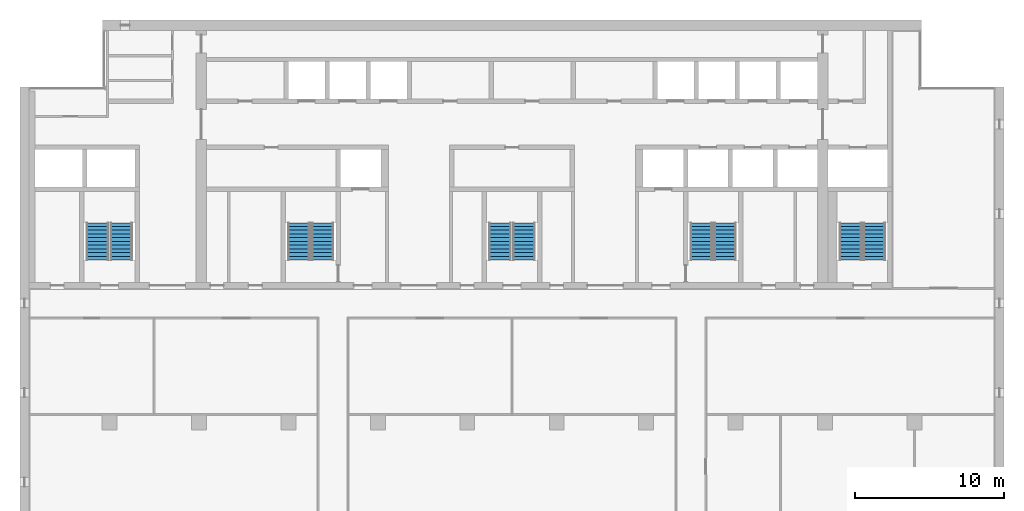
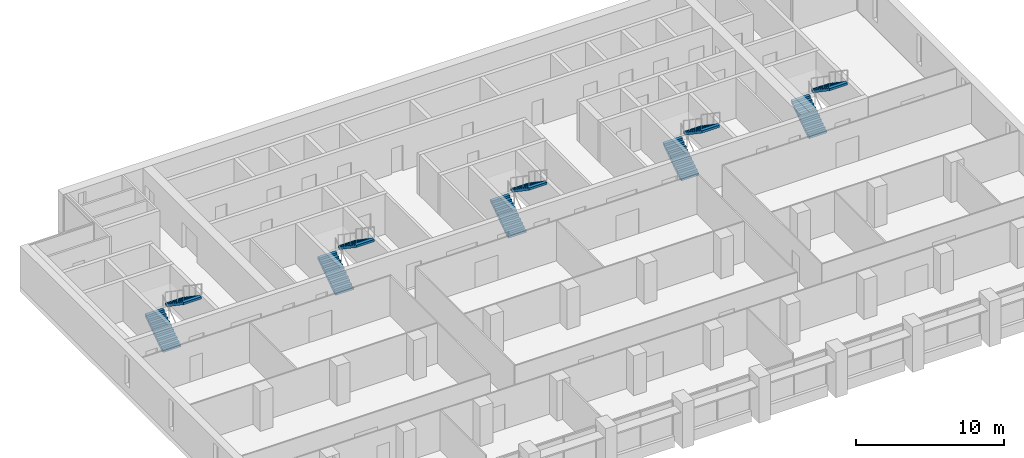
# One storey, part 13 of 17: 10 stair flights, 5 elements without a shape of their own.
"""IFC4 building model written with IfcOpenShell, lengths in metres."""

import ifcopenshell
import ifcopenshell.guid

model = None  # the IFC model being written
_history = None  # IfcOwnerHistory: only IFC2X3 demands one
_inside = {}  # id of a spatial element -> (the spatial element, [elements in it])
_under = {}  # id of a project, library or spatial element -> (it, [spatial elements below it])
_declared = {}  # id of a project -> (the project, [libraries it declares])
_typed = {}  # id of a type object -> (the type object, [elements of that type])
_made_of = {}  # id of a material, layer set ... -> (it, [elements and type objects made of it])


def new_model(schema):
    """Start an empty IFC model of exactly this schema.

    Asked for "IFC4X3", IfcOpenShell would pick the latest addendum, in which some entities
    have other attributes; the version numbers below select the first issue.
    IFC2X3 requires an IfcOwnerHistory on every rooted entity: one is made here for all.
    """
    global model, _history
    if schema == "IFC4X3":
        model = ifcopenshell.file(schema_version=(4, 3, 0, 0))
    else:
        model = ifcopenshell.file(schema=schema)
    _inside.clear()
    _under.clear()
    _declared.clear()
    _typed.clear()
    _made_of.clear()
    _history = None
    if model.schema == "IFC2X3":
        org = make("IfcOrganization", Name="unknown")
        user = make(
            "IfcPersonAndOrganization",
            ThePerson=make("IfcPerson", FamilyName="unknown"),
            TheOrganization=org,
        )
        app = make(
            "IfcApplication",
            ApplicationDeveloper=org,
            Version="unknown",
            ApplicationFullName="unknown",
            ApplicationIdentifier="unknown",
        )
        _history = make(
            "IfcOwnerHistory",
            OwningUser=user,
            OwningApplication=app,
            ChangeAction="ADDED",
            CreationDate=0,
        )
    return model


def make(cls, **values):
    """One entity of the class cls with the attributes given. An attribute that is None is left unset."""
    return model.create_entity(
        cls, **{name: value for name, value in values.items() if value is not None}
    )


def rooted(cls, **values):
    """An entity with a GlobalId (a new one), such as an element, a storey or a relation."""
    return make(cls, GlobalId=ifcopenshell.guid.new(), OwnerHistory=_history, **values)


def si_unit(unit_type, name, prefix=None):
    """IfcSIUnit, for example si_unit("LENGTHUNIT", "METRE", prefix="MILLI")."""
    return make("IfcSIUnit", UnitType=unit_type, Prefix=prefix, Name=name)


def assignment(units):
    """IfcUnitAssignment: the units of a project."""
    return None if units is None else make("IfcUnitAssignment", Units=units)


def point(xyz):
    """IfcCartesianPoint."""
    return None if xyz is None else make("IfcCartesianPoint", Coordinates=xyz)


def direction(xyz):
    """IfcDirection."""
    return None if xyz is None else make("IfcDirection", DirectionRatios=xyz)


def frame(location, z_axis=None, x_axis=None):
    """IfcAxis2Placement3D, a coordinate frame: its origin and axes. An axis left out is left unset."""
    return make(
        "IfcAxis2Placement3D",
        Location=point(location),
        Axis=direction(z_axis),
        RefDirection=direction(x_axis),
    )


def origin():
    """The frame at (0, 0, 0) with its axes left unset."""
    return frame((0.0, 0.0, 0.0))


def place(relative_to, where):
    """IfcLocalPlacement: puts the frame where relative to a parent placement (None: the world)."""
    return make(
        "IfcLocalPlacement", PlacementRelTo=relative_to, RelativePlacement=where
    )


def context(
    kind, dimensions, precision=None, world=None, true_north=None, identifier=None
):
    """IfcGeometricRepresentationContext, for example the 3D "Model" context."""
    return make(
        "IfcGeometricRepresentationContext",
        ContextIdentifier=identifier,
        ContextType=kind,
        CoordinateSpaceDimension=dimensions,
        Precision=precision,
        WorldCoordinateSystem=world,
        TrueNorth=true_north,
    )


def subcontext(parent, identifier, kind, view, scale=None):
    """IfcGeometricRepresentationSubContext, for example "Body" below "Model"."""
    return make(
        "IfcGeometricRepresentationSubContext",
        ContextIdentifier=identifier,
        ContextType=kind,
        ParentContext=parent,
        TargetScale=scale,
        TargetView=view,
    )


def project(units=None, contexts=None):
    """IfcProject with its units and contexts."""
    return rooted(
        "IfcProject",
        Name="project",
        RepresentationContexts=contexts,
        UnitsInContext=assignment(units),
    )


def spatial(cls, under=None, at=None, **own):
    """A site, building, storey or space (cls), placed at a placement, below another one or the project."""
    s = rooted(cls, ObjectPlacement=at, **own)
    if under is not None:
        _under.setdefault(under.id(), (under, []))[1].append(s)
    return s


def polyline(points):
    """IfcPolyline through the points."""
    return make("IfcPolyline", Points=[point(p) for p in points])


def outline(outer, holes=None, kind="AREA"):
    """IfcArbitraryClosedProfileDef: a profile drawn as a closed curve; with holes, ...WithVoids."""
    if holes is None:
        return make("IfcArbitraryClosedProfileDef", ProfileType=kind, OuterCurve=outer)
    return make(
        "IfcArbitraryProfileDefWithVoids",
        ProfileType=kind,
        OuterCurve=outer,
        InnerCurves=holes,
    )


def extrude(swept, where, along, depth):
    """IfcExtrudedAreaSolid: the profile swept, set in the frame where, extruded along a direction by depth."""
    return make(
        "IfcExtrudedAreaSolid",
        SweptArea=swept,
        Position=where,
        ExtrudedDirection=direction(along),
        Depth=depth,
    )


def shape(context_of_items, identifier, shape_type, items):
    """IfcShapeRepresentation: the items that make up one representation, for example the "Body"."""
    return make(
        "IfcShapeRepresentation",
        ContextOfItems=context_of_items,
        RepresentationIdentifier=identifier,
        RepresentationType=shape_type,
        Items=items,
    )


def material(Name=None, Category=None):
    """IfcMaterial."""
    return make("IfcMaterial", Name=Name, Category=Category)


def made_of(thing, what):
    """Note that an element or type object is made of a material, layer set ...; save() writes the relation."""
    if what is not None:
        _made_of.setdefault(what.id(), (what, []))[1].append(thing)
    return thing


def type_object(cls, material=None, **own):
    """A type object (cls), such as IfcWallType, which elements share."""
    return made_of(rooted(cls, **own), material)


def element(
    cls,
    number,
    at=None,
    inside=None,
    cuts=None,
    type_object=None,
    material=None,
    context=None,
    identifier="Body",
    shape_type=None,
    held_by="IfcProductDefinitionShape",
    body=None,
    shapes=None,
    **own,
):
    """One element of the class cls, such as IfcWall. Its Tag is "e" and its number.

    at: its placement. inside: the storey or other place that contains it. cuts: it is an
    opening in that element (IfcRelVoidsElement). A single representation is given by context,
    identifier, shape_type and body (its items); several are given by shapes. held_by: the class
    of the entity that holds the representations. save() writes the other relations.
    """
    e = rooted(cls, Tag="e%d" % number, ObjectPlacement=at, **own)
    if body is not None:
        shapes = [shape(context, identifier, shape_type, body)]
    if shapes is not None:
        e.Representation = make(held_by, Representations=shapes)
    if inside is not None:
        _inside.setdefault(inside.id(), (inside, []))[1].append(e)
    if cuts is not None:
        rooted(
            "IfcRelVoidsElement", RelatingBuildingElement=cuts, RelatedOpeningElement=e
        )
    if type_object is not None:
        _typed.setdefault(type_object.id(), (type_object, []))[1].append(e)
    return made_of(e, material)


def aggregate(whole, parts):
    """IfcRelAggregates: a whole, such as a stair, and the parts it consists of."""
    return rooted("IfcRelAggregates", RelatingObject=whole, RelatedObjects=parts)


def save(model, path):
    """Write the relations noted so far, then the file.

    IfcRelAggregates (storeys below a building ...), IfcRelContainedInSpatialStructure (elements
    in a storey), IfcRelDefinesByType, IfcRelAssociatesMaterial and IfcRelDeclares: one each for
    every whole, place, type object, material and project.
    """
    for whole, parts in _under.values():
        aggregate(whole, parts)
    for where, things in _inside.values():
        rooted(
            "IfcRelContainedInSpatialStructure",
            RelatedElements=things,
            RelatingStructure=where,
        )
    for kind, things in _typed.values():
        rooted("IfcRelDefinesByType", RelatedObjects=things, RelatingType=kind)
    for what, things in _made_of.values():
        rooted("IfcRelAssociatesMaterial", RelatedObjects=things, RelatingMaterial=what)
    for by, libraries in _declared.values():
        rooted("IfcRelDeclares", RelatingContext=by, RelatedDefinitions=libraries)
    model.write(path)


model = new_model("IFC4")

# Units and contexts
model_context = context("Model", 3, precision=1e-05, world=origin(), true_north=direction((0.0, 1.0)))
body_context = subcontext(model_context, "Body", "Model", "MODEL_VIEW")
ifc_project = project(units=[si_unit("LENGTHUNIT", "METRE"), si_unit("AREAUNIT", "SQUARE_METRE"), si_unit("VOLUMEUNIT", "CUBIC_METRE"), si_unit("PLANEANGLEUNIT", "RADIAN"), si_unit("MASSUNIT", "GRAM", prefix="KILO")], contexts=[model_context])

# Site, building, storey
site_placement = place(None, origin())
site = spatial("IfcSite", under=ifc_project, at=site_placement, CompositionType="ELEMENT")
building_placement = place(site_placement, origin())
building = spatial("IfcBuilding", under=site, at=building_placement, Name="Calvaro Tower", CompositionType="ELEMENT")
storey_placement = place(building_placement, frame((0.0, 0.0, 219.25)))
storey = spatial("IfcBuildingStorey", under=building, at=storey_placement, Name="L55", CompositionType="ELEMENT", Elevation=219.25)

# Stair, stair flights
ifc_material_1 = material(Name="Concrete C40/50", Category="concrete")
stair_type = type_object("IfcStairType", Name="Exit stair 1400 2 flights", PredefinedType="HALF_TURN_STAIR", material=ifc_material_1)
stair_1_placement = place(storey_placement, origin())
stair_1 = element("IfcStair", 1, at=stair_1_placement, inside=storey, type_object=stair_type, Name="Exit stair S1", PredefinedType="HALF_TURN_STAIR")
ifc_material_2 = material(Name="Concrete C40/50", Category="concrete")
stair_flight_type = type_object("IfcStairFlightType", Name="Stair flight", PredefinedType="STRAIGHT", material=ifc_material_2)
stair_flight_1_placement = place(storey_placement, frame((11.199951171875, 29.89990234375, 0.0), z_axis=(0.0, 0.0, 1.0), x_axis=(0.0, 1.0, 0.0)))
stair_flight_1 = element("IfcStairFlight", 2, at=stair_flight_1_placement, type_object=stair_flight_type, Name="Exit stair 1, flight 1", NumberOfRisers=11, NumberOfTreads=10, PredefinedType="STRAIGHT", RiserHeight=0.170454545, TreadLength=0.25, context=body_context, shape_type="SweptSolid", body=[
    extrude(outline(polyline([(0.0, 0.0), (0.0, 0.17041015625), (0.25, 0.17041015625), (0.25, 0.3408203125), (0.5, 0.3408203125), (0.5, 0.511474609375), (0.75, 0.511474609375), (0.75, 0.681884765625), (1.0, 0.681884765625), (1.0, 0.852294921875), (1.25, 0.852294921875), (1.25, 1.022705078125), (1.5, 1.022705078125), (1.5, 1.193115234375), (1.75, 1.193115234375), (1.75, 1.363525390625), (2.0, 1.363525390625), (2.0, 1.5341796875), (2.25, 1.5341796875), (2.25, 1.70458984375), (2.5, 1.70458984375), (2.5, 1.875), (2.5, 1.523193359375), (0.26611328125, 0.0), (0.0, 0.0)])), frame((0.0, 0.699951171875, 0.0), z_axis=(0.0, -1.0, 0.0), x_axis=(1.0, 0.0, 0.0)), (0.0, 0.0, 1.0), 1.39990234375),
])
stair_flight_2_placement = place(storey_placement, frame((12.800048828125, 32.39990234375, 1.875), z_axis=(0.0, 0.0, 1.0), x_axis=(0.0, -1.0, 0.0)))
stair_flight_2 = element("IfcStairFlight", 3, at=stair_flight_2_placement, type_object=stair_flight_type, Name="Exit stair 1, flight 2", NumberOfRisers=11, NumberOfTreads=10, PredefinedType="STRAIGHT", RiserHeight=0.170454545, TreadLength=0.25, context=body_context, shape_type="SweptSolid", body=[
    extrude(outline(polyline([(0.0, 0.0), (0.0, 0.17041015625), (0.25, 0.17041015625), (0.25, 0.3408203125), (0.5, 0.3408203125), (0.5, 0.511474609375), (0.75, 0.511474609375), (0.75, 0.681884765625), (1.0, 0.681884765625), (1.0, 0.852294921875), (1.25, 0.852294921875), (1.25, 1.022705078125), (1.5, 1.022705078125), (1.5, 1.193115234375), (1.75, 1.193115234375), (1.75, 1.363525390625), (2.0, 1.363525390625), (2.0, 1.5341796875), (2.25, 1.5341796875), (2.25, 1.70458984375), (2.5, 1.70458984375), (2.5, 1.875), (2.5, 1.523193359375), (0.26611328125, 0.0), (0.0, 0.0)])), frame((0.0, 0.699951171875, 0.0), z_axis=(0.0, -1.0, 0.0), x_axis=(1.0, 0.0, 0.0)), (0.0, 0.0, 1.0), 1.39990234375),
])
aggregate(stair_1, [stair_flight_1, stair_flight_2])

stair_2_placement = place(storey_placement, origin())
stair_2 = element("IfcStair", 4, at=stair_2_placement, inside=storey, type_object=stair_type, Name="Exit stair S2", PredefinedType="HALF_TURN_STAIR")
stair_flight_3_placement = place(storey_placement, frame((24.699951171875, 29.89990234375, 0.0), z_axis=(0.0, 0.0, 1.0), x_axis=(0.0, 1.0, 0.0)))
stair_flight_3 = element("IfcStairFlight", 5, at=stair_flight_3_placement, type_object=stair_flight_type, Name="Exit stair 2, flight 1", NumberOfRisers=11, NumberOfTreads=10, PredefinedType="STRAIGHT", RiserHeight=0.170454545, TreadLength=0.25, context=body_context, shape_type="SweptSolid", body=[
    extrude(outline(polyline([(0.0, 0.0), (0.0, 0.17041015625), (0.25, 0.17041015625), (0.25, 0.3408203125), (0.5, 0.3408203125), (0.5, 0.511474609375), (0.75, 0.511474609375), (0.75, 0.681884765625), (1.0, 0.681884765625), (1.0, 0.852294921875), (1.25, 0.852294921875), (1.25, 1.022705078125), (1.5, 1.022705078125), (1.5, 1.193115234375), (1.75, 1.193115234375), (1.75, 1.363525390625), (2.0, 1.363525390625), (2.0, 1.5341796875), (2.25, 1.5341796875), (2.25, 1.70458984375), (2.5, 1.70458984375), (2.5, 1.875), (2.5, 1.523193359375), (0.26611328125, 0.0), (0.0, 0.0)])), frame((0.0, 0.699951171875, 0.0), z_axis=(0.0, -1.0, 0.0), x_axis=(1.0, 0.0, 0.0)), (0.0, 0.0, 1.0), 1.39990234375),
])
stair_flight_4_placement = place(storey_placement, frame((26.300048828125, 32.39990234375, 1.875), z_axis=(0.0, 0.0, 1.0), x_axis=(0.0, -1.0, 0.0)))
stair_flight_4 = element("IfcStairFlight", 6, at=stair_flight_4_placement, type_object=stair_flight_type, Name="Exit stair 2, flight 2", NumberOfRisers=11, NumberOfTreads=10, PredefinedType="STRAIGHT", RiserHeight=0.170454545, TreadLength=0.25, context=body_context, shape_type="SweptSolid", body=[
    extrude(outline(polyline([(0.0, 0.0), (0.0, 0.17041015625), (0.25, 0.17041015625), (0.25, 0.3408203125), (0.5, 0.3408203125), (0.5, 0.511474609375), (0.75, 0.511474609375), (0.75, 0.681884765625), (1.0, 0.681884765625), (1.0, 0.852294921875), (1.25, 0.852294921875), (1.25, 1.022705078125), (1.5, 1.022705078125), (1.5, 1.193115234375), (1.75, 1.193115234375), (1.75, 1.363525390625), (2.0, 1.363525390625), (2.0, 1.5341796875), (2.25, 1.5341796875), (2.25, 1.70458984375), (2.5, 1.70458984375), (2.5, 1.875), (2.5, 1.523193359375), (0.26611328125, 0.0), (0.0, 0.0)])), frame((0.0, 0.699951171875, 0.0), z_axis=(0.0, -1.0, 0.0), x_axis=(1.0, 0.0, 0.0)), (0.0, 0.0, 1.0), 1.39990234375),
])
aggregate(stair_2, [stair_flight_3, stair_flight_4])

stair_3_placement = place(storey_placement, origin())
stair_3 = element("IfcStair", 7, at=stair_3_placement, inside=storey, type_object=stair_type, Name="Exit stair S3", PredefinedType="HALF_TURN_STAIR")
stair_flight_5_placement = place(storey_placement, frame((38.199951171875, 29.89990234375, 0.0), z_axis=(0.0, 0.0, 1.0), x_axis=(0.0, 1.0, 0.0)))
stair_flight_5 = element("IfcStairFlight", 8, at=stair_flight_5_placement, type_object=stair_flight_type, Name="Exit stair 3, flight 1", NumberOfRisers=11, NumberOfTreads=10, PredefinedType="STRAIGHT", RiserHeight=0.170454545, TreadLength=0.25, context=body_context, shape_type="SweptSolid", body=[
    extrude(outline(polyline([(0.0, 0.0), (0.0, 0.17041015625), (0.25, 0.17041015625), (0.25, 0.3408203125), (0.5, 0.3408203125), (0.5, 0.511474609375), (0.75, 0.511474609375), (0.75, 0.681884765625), (1.0, 0.681884765625), (1.0, 0.852294921875), (1.25, 0.852294921875), (1.25, 1.022705078125), (1.5, 1.022705078125), (1.5, 1.193115234375), (1.75, 1.193115234375), (1.75, 1.363525390625), (2.0, 1.363525390625), (2.0, 1.5341796875), (2.25, 1.5341796875), (2.25, 1.70458984375), (2.5, 1.70458984375), (2.5, 1.875), (2.5, 1.523193359375), (0.26611328125, 0.0), (0.0, 0.0)])), frame((0.0, 0.699951171875, 0.0), z_axis=(0.0, -1.0, 0.0), x_axis=(1.0, 0.0, 0.0)), (0.0, 0.0, 1.0), 1.39990234375),
])
stair_flight_6_placement = place(storey_placement, frame((39.800048828125, 32.39990234375, 1.875), z_axis=(0.0, 0.0, 1.0), x_axis=(0.0, -1.0, 0.0)))
stair_flight_6 = element("IfcStairFlight", 9, at=stair_flight_6_placement, type_object=stair_flight_type, Name="Exit stair 3, flight 2", NumberOfRisers=11, NumberOfTreads=10, PredefinedType="STRAIGHT", RiserHeight=0.170454545, TreadLength=0.25, context=body_context, shape_type="SweptSolid", body=[
    extrude(outline(polyline([(0.0, 0.0), (0.0, 0.17041015625), (0.25, 0.17041015625), (0.25, 0.3408203125), (0.5, 0.3408203125), (0.5, 0.511474609375), (0.75, 0.511474609375), (0.75, 0.681884765625), (1.0, 0.681884765625), (1.0, 0.852294921875), (1.25, 0.852294921875), (1.25, 1.022705078125), (1.5, 1.022705078125), (1.5, 1.193115234375), (1.75, 1.193115234375), (1.75, 1.363525390625), (2.0, 1.363525390625), (2.0, 1.5341796875), (2.25, 1.5341796875), (2.25, 1.70458984375), (2.5, 1.70458984375), (2.5, 1.875), (2.5, 1.523193359375), (0.26611328125, 0.0), (0.0, 0.0)])), frame((0.0, 0.699951171875, 0.0), z_axis=(0.0, -1.0, 0.0), x_axis=(1.0, 0.0, 0.0)), (0.0, 0.0, 1.0), 1.39990234375),
])
aggregate(stair_3, [stair_flight_5, stair_flight_6])

stair_4_placement = place(storey_placement, origin())
stair_4 = element("IfcStair", 10, at=stair_4_placement, inside=storey, type_object=stair_type, Name="Exit stair S4", PredefinedType="HALF_TURN_STAIR")
stair_flight_7_placement = place(storey_placement, frame((51.699951171875, 29.89990234375, 0.0), z_axis=(0.0, 0.0, 1.0), x_axis=(0.0, 1.0, 0.0)))
stair_flight_7 = element("IfcStairFlight", 11, at=stair_flight_7_placement, type_object=stair_flight_type, Name="Exit stair 4, flight 1", NumberOfRisers=11, NumberOfTreads=10, PredefinedType="STRAIGHT", RiserHeight=0.170454545, TreadLength=0.25, context=body_context, shape_type="SweptSolid", body=[
    extrude(outline(polyline([(0.0, 0.0), (0.0, 0.17041015625), (0.25, 0.17041015625), (0.25, 0.3408203125), (0.5, 0.3408203125), (0.5, 0.511474609375), (0.75, 0.511474609375), (0.75, 0.681884765625), (1.0, 0.681884765625), (1.0, 0.852294921875), (1.25, 0.852294921875), (1.25, 1.022705078125), (1.5, 1.022705078125), (1.5, 1.193115234375), (1.75, 1.193115234375), (1.75, 1.363525390625), (2.0, 1.363525390625), (2.0, 1.5341796875), (2.25, 1.5341796875), (2.25, 1.70458984375), (2.5, 1.70458984375), (2.5, 1.875), (2.5, 1.523193359375), (0.26611328125, 0.0), (0.0, 0.0)])), frame((0.0, 0.699951171875, 0.0), z_axis=(0.0, -1.0, 0.0), x_axis=(1.0, 0.0, 0.0)), (0.0, 0.0, 1.0), 1.39990234375),
])
stair_flight_8_placement = place(storey_placement, frame((53.300048828125, 32.39990234375, 1.875), z_axis=(0.0, 0.0, 1.0), x_axis=(0.0, -1.0, 0.0)))
stair_flight_8 = element("IfcStairFlight", 12, at=stair_flight_8_placement, type_object=stair_flight_type, Name="Exit stair 4, flight 2", NumberOfRisers=11, NumberOfTreads=10, PredefinedType="STRAIGHT", RiserHeight=0.170454545, TreadLength=0.25, context=body_context, shape_type="SweptSolid", body=[
    extrude(outline(polyline([(0.0, 0.0), (0.0, 0.17041015625), (0.25, 0.17041015625), (0.25, 0.3408203125), (0.5, 0.3408203125), (0.5, 0.511474609375), (0.75, 0.511474609375), (0.75, 0.681884765625), (1.0, 0.681884765625), (1.0, 0.852294921875), (1.25, 0.852294921875), (1.25, 1.022705078125), (1.5, 1.022705078125), (1.5, 1.193115234375), (1.75, 1.193115234375), (1.75, 1.363525390625), (2.0, 1.363525390625), (2.0, 1.5341796875), (2.25, 1.5341796875), (2.25, 1.70458984375), (2.5, 1.70458984375), (2.5, 1.875), (2.5, 1.523193359375), (0.26611328125, 0.0), (0.0, 0.0)])), frame((0.0, 0.699951171875, 0.0), z_axis=(0.0, -1.0, 0.0), x_axis=(1.0, 0.0, 0.0)), (0.0, 0.0, 1.0), 1.39990234375),
])
aggregate(stair_4, [stair_flight_7, stair_flight_8])

stair_5_placement = place(storey_placement, origin())
stair_5 = element("IfcStair", 13, at=stair_5_placement, inside=storey, type_object=stair_type, Name="Exit stair S5", PredefinedType="HALF_TURN_STAIR")
stair_flight_9_placement = place(storey_placement, frame((61.699951171875, 29.89990234375, 0.0), z_axis=(0.0, 0.0, 1.0), x_axis=(0.0, 1.0, 0.0)))
stair_flight_9 = element("IfcStairFlight", 14, at=stair_flight_9_placement, type_object=stair_flight_type, Name="Exit stair 5, flight 1", NumberOfRisers=11, NumberOfTreads=10, PredefinedType="STRAIGHT", RiserHeight=0.170454545, TreadLength=0.25, context=body_context, shape_type="SweptSolid", body=[
    extrude(outline(polyline([(0.0, 0.0), (0.0, 0.17041015625), (0.25, 0.17041015625), (0.25, 0.3408203125), (0.5, 0.3408203125), (0.5, 0.511474609375), (0.75, 0.511474609375), (0.75, 0.681884765625), (1.0, 0.681884765625), (1.0, 0.852294921875), (1.25, 0.852294921875), (1.25, 1.022705078125), (1.5, 1.022705078125), (1.5, 1.193115234375), (1.75, 1.193115234375), (1.75, 1.363525390625), (2.0, 1.363525390625), (2.0, 1.5341796875), (2.25, 1.5341796875), (2.25, 1.70458984375), (2.5, 1.70458984375), (2.5, 1.875), (2.5, 1.523193359375), (0.26611328125, 0.0), (0.0, 0.0)])), frame((0.0, 0.699951171875, 0.0), z_axis=(0.0, -1.0, 0.0), x_axis=(1.0, 0.0, 0.0)), (0.0, 0.0, 1.0), 1.39990234375),
])
stair_flight_10_placement = place(storey_placement, frame((63.300048828125, 32.39990234375, 1.875), z_axis=(0.0, 0.0, 1.0), x_axis=(0.0, -1.0, 0.0)))
stair_flight_10 = element("IfcStairFlight", 15, at=stair_flight_10_placement, type_object=stair_flight_type, Name="Exit stair 5, flight 2", NumberOfRisers=11, NumberOfTreads=10, PredefinedType="STRAIGHT", RiserHeight=0.170454545, TreadLength=0.25, context=body_context, shape_type="SweptSolid", body=[
    extrude(outline(polyline([(0.0, 0.0), (0.0, 0.17041015625), (0.25, 0.17041015625), (0.25, 0.3408203125), (0.5, 0.3408203125), (0.5, 0.511474609375), (0.75, 0.511474609375), (0.75, 0.681884765625), (1.0, 0.681884765625), (1.0, 0.852294921875), (1.25, 0.852294921875), (1.25, 1.022705078125), (1.5, 1.022705078125), (1.5, 1.193115234375), (1.75, 1.193115234375), (1.75, 1.363525390625), (2.0, 1.363525390625), (2.0, 1.5341796875), (2.25, 1.5341796875), (2.25, 1.70458984375), (2.5, 1.70458984375), (2.5, 1.875), (2.5, 1.523193359375), (0.26611328125, 0.0), (0.0, 0.0)])), frame((0.0, 0.699951171875, 0.0), z_axis=(0.0, -1.0, 0.0), x_axis=(1.0, 0.0, 0.0)), (0.0, 0.0, 1.0), 1.39990234375),
])
aggregate(stair_5, [stair_flight_9, stair_flight_10])

save(model, "model.ifc")
